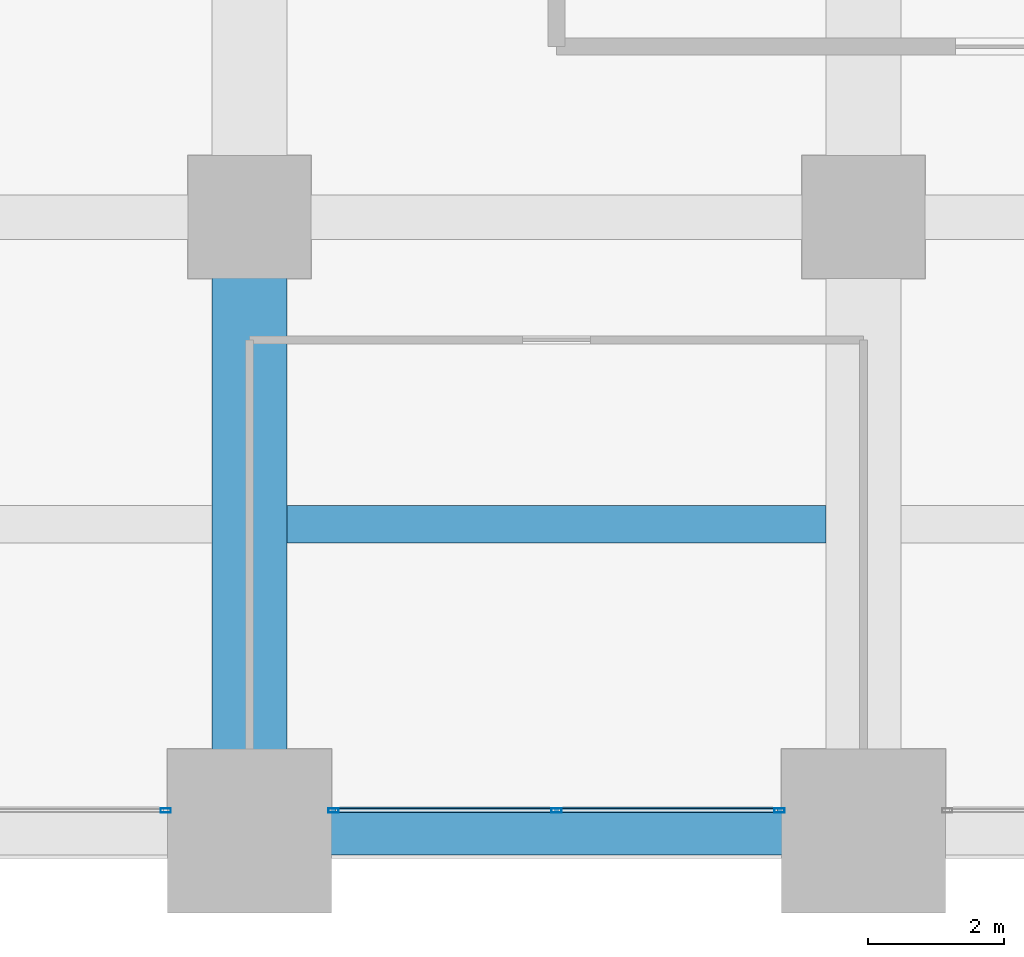
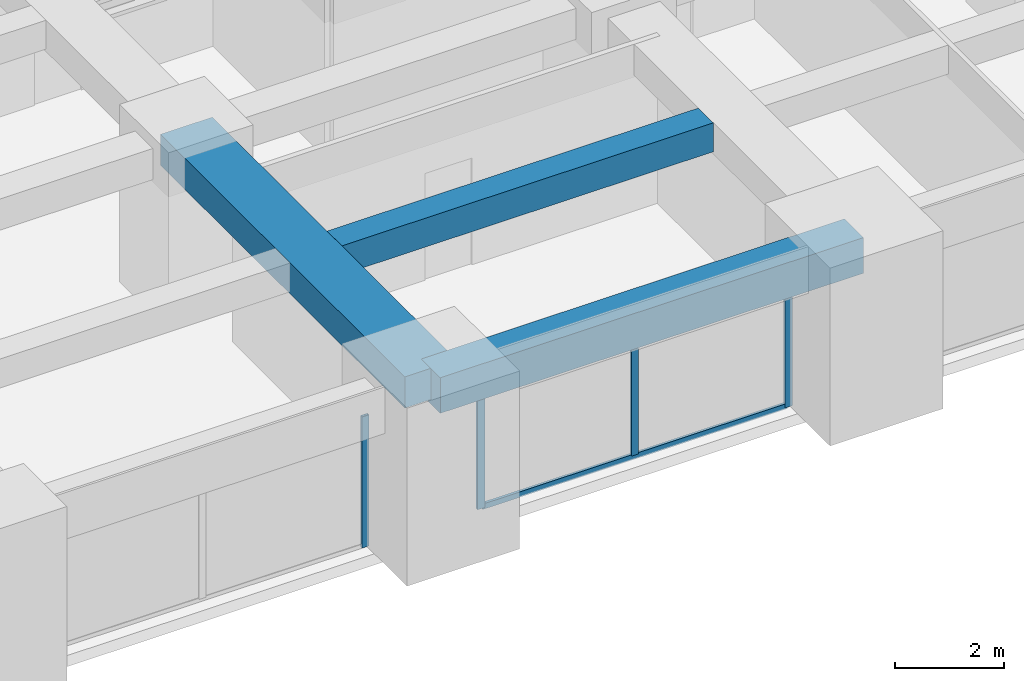
# One storey, part 6 of 39: 5 members, 3 beams, 2 elements without a shape of their own.
"""IFC4 building model written with IfcOpenShell, lengths in metres."""

from ifc_helpers import new_model, si_unit, direction, frame, origin, origin_2d, place, context, subcontext, project, spatial, rectangle, hollow_rectangle, extrude, material, material_profile, profile_set, type_object, element, aggregate, save


model = new_model("IFC4")

# Units and contexts
model_context = context("Model", 3, precision=1e-05, world=origin(), true_north=direction((0.0, 1.0)))
body_context = subcontext(model_context, "Body", "Model", "MODEL_VIEW")
ifc_project = project(units=[si_unit("LENGTHUNIT", "METRE"), si_unit("AREAUNIT", "SQUARE_METRE"), si_unit("VOLUMEUNIT", "CUBIC_METRE"), si_unit("PLANEANGLEUNIT", "RADIAN"), si_unit("MASSUNIT", "GRAM", prefix="KILO")], contexts=[model_context])

# Site, building, storey
site_placement = place(None, origin())
site = spatial("IfcSite", under=ifc_project, at=site_placement, CompositionType="ELEMENT")
building_placement = place(site_placement, origin())
building = spatial("IfcBuilding", under=site, at=building_placement, Name="Zorevar Civic Tower", CompositionType="ELEMENT")
storey_placement = place(building_placement, frame((0.0, 0.0, 125.0)))
storey = spatial("IfcBuildingStorey", under=building, at=storey_placement, Name="L30", CompositionType="ELEMENT", Elevation=125.0)

# Beams
ifc_material_1 = material(Name="Concrete C50/60", Category="concrete")
ifc_material_profile_1 = material_profile(ifc_material_1, rectangle(XDim=1.10009765625, YDim=0.699951171875, at=origin_2d()), Name="RC 1100x700")
ifc_profile_set_1 = profile_set([ifc_material_profile_1], Name="Concrete C50/60")
beam_type_1 = type_object("IfcBeamType", Name="Beam RC 1100x700", PredefinedType="BEAM", material=ifc_profile_set_1)
beam_1_placement = place(storey_placement, frame((18.0, 0.0, 3.39990234375), z_axis=(0.0, 1.0, 0.0), x_axis=(-1.0, 0.0, 0.0)))
element("IfcBeam", 1, at=beam_1_placement, inside=storey, type_object=beam_type_1, Name="Girder L31", PredefinedType="BEAM", context=body_context, shape_type="SweptSolid", body=[
    extrude(rectangle(XDim=1.10009765625, YDim=0.699951171875, at=origin_2d()), origin(), (0.0, 0.0, 1.0), 9.0),
])
ifc_material_2 = material(Name="Concrete C50/60", Category="concrete")
ifc_material_profile_2 = material_profile(ifc_material_2, rectangle(XDim=0.550048828125, YDim=0.64990234375, at=origin_2d()), Name="RC 550x650")
ifc_profile_set_2 = profile_set([ifc_material_profile_2], Name="Concrete C50/60")
beam_type_2 = type_object("IfcBeamType", Name="Beam RC 550x650", PredefinedType="BEAM", material=ifc_profile_set_2)
beam_2_placement = place(storey_placement, frame((18.550048828125, 4.5, 3.425048828125), z_axis=(1.0, 0.0, 0.0), x_axis=(0.0, 1.0, 0.0)))
element("IfcBeam", 2, at=beam_2_placement, inside=storey, type_object=beam_type_2, Name="Secondary beam L31", PredefinedType="BEAM", context=body_context, shape_type="SweptSolid", body=[
    extrude(rectangle(XDim=0.550048828125, YDim=0.64990234375, at=origin_2d()), origin(), (0.0, 0.0, 1.0), 7.89990234375),
])

# Curtain wall, member
ifc_material_3 = material(Name="Dark grey solar-control glass in black aluminium frame", Category="aluminium")
curtain_wall_type = type_object("IfcCurtainWallType", Name="Curtain wall CW3 mid zone", PredefinedType="NOTDEFINED", material=ifc_material_3)
curtain_wall_1_placement = place(storey_placement, origin())
curtain_wall_1 = element("IfcCurtainWall", 3, at=curtain_wall_1_placement, inside=storey, type_object=curtain_wall_type, Name="CW3 L30", PredefinedType="NOTDEFINED")
ifc_material_4 = material(Name="Aluminium, black anodised", Category="aluminium")
ifc_material_profile_3 = material_profile(ifc_material_4, hollow_rectangle(XDim=0.06005859375, YDim=0.14990234375, WallThickness=0.00390625, at=origin_2d()), Name="AL 150x60x4")
ifc_profile_set_3 = profile_set([ifc_material_profile_3], Name="Aluminium, black anodised")
member_type_1 = type_object("IfcMemberType", Name="CW3 mullion AL 150x60x4", PredefinedType="MULLION", material=ifc_profile_set_3)
member_1_placement = place(storey_placement, frame((16.77001953125, 0.300048828125, 0.0), z_axis=(0.0, 0.0, 1.0), x_axis=(0.0, 1.0, 0.0)))
member_1 = element("IfcMember", 4, at=member_1_placement, type_object=member_type_1, Name="CW3 mullion 3", PredefinedType="MULLION", context=body_context, shape_type="SweptSolid", body=[
    extrude(hollow_rectangle(XDim=0.06005859375, YDim=0.14990234375, WallThickness=0.00390625, at=origin_2d()), origin(), (0.0, 0.0, 1.0), 2.949951171875),
])
aggregate(curtain_wall_1, [member_1])

# Curtain wall, members
curtain_wall_2_placement = place(storey_placement, origin())
curtain_wall_2 = element("IfcCurtainWall", 5, at=curtain_wall_2_placement, inside=storey, type_object=curtain_wall_type, Name="CW3 L30", PredefinedType="NOTDEFINED")
member_2_placement = place(storey_placement, frame((19.22998046875, 0.300048828125, 0.0), z_axis=(0.0, 0.0, 1.0), x_axis=(0.0, 1.0, 0.0)))
member_2 = element("IfcMember", 6, at=member_2_placement, type_object=member_type_1, Name="CW3 mullion 1", PredefinedType="MULLION", context=body_context, shape_type="SweptSolid", body=[
    extrude(hollow_rectangle(XDim=0.06005859375, YDim=0.14990234375, WallThickness=0.00390625, at=origin_2d()), origin(), (0.0, 0.0, 1.0), 2.949951171875),
])
member_3_placement = place(storey_placement, frame((22.5, 0.300048828125, 0.06005859375), z_axis=(0.0, 0.0, 1.0), x_axis=(0.0, 1.0, 0.0)))
member_3 = element("IfcMember", 7, at=member_3_placement, type_object=member_type_1, Name="CW3 mullion 2", PredefinedType="MULLION", context=body_context, shape_type="SweptSolid", body=[
    extrude(hollow_rectangle(XDim=0.06005859375, YDim=0.14990234375, WallThickness=0.00390625, at=origin_2d()), origin(), (0.0, 0.0, 1.0), 2.889892578125),
])
member_4_placement = place(storey_placement, frame((25.77001953125, 0.300048828125, 0.0), z_axis=(0.0, 0.0, 1.0), x_axis=(0.0, 1.0, 0.0)))
member_4 = element("IfcMember", 8, at=member_4_placement, type_object=member_type_1, Name="CW3 mullion 3", PredefinedType="MULLION", context=body_context, shape_type="SweptSolid", body=[
    extrude(hollow_rectangle(XDim=0.06005859375, YDim=0.14990234375, WallThickness=0.00390625, at=origin_2d()), origin(), (0.0, 0.0, 1.0), 2.949951171875),
])
ifc_material_5 = material(Name="Aluminium, black anodised", Category="aluminium")
ifc_material_profile_4 = material_profile(ifc_material_5, hollow_rectangle(XDim=0.06005859375, YDim=0.1201171875, WallThickness=0.0029296875, at=origin_2d()), Name="AL 120x60x3")
ifc_profile_set_4 = profile_set([ifc_material_profile_4], Name="Aluminium, black anodised")
member_type_2 = type_object("IfcMemberType", Name="CW3 transom AL 120x60x3", PredefinedType="USERDEFINED", material=ifc_profile_set_4)
member_5_placement = place(storey_placement, frame((19.260009765625, 0.300048828125, 0.030029296875), z_axis=(1.0, 0.0, 0.0), x_axis=(0.0, 1.0, 0.0)))
member_5 = element("IfcMember", 9, at=member_5_placement, type_object=member_type_2, Name="CW3 sill transom", ObjectType="TRANSOM", PredefinedType="USERDEFINED", context=body_context, shape_type="SweptSolid", body=[
    extrude(hollow_rectangle(XDim=0.06005859375, YDim=0.1201171875, WallThickness=0.0029296875, at=origin_2d()), origin(), (0.0, 0.0, 1.0), 6.47998046875),
])
aggregate(curtain_wall_2, [member_2, member_3, member_4, member_5])

# Beam
ifc_material_6 = material(Name="Concrete C50/60", Category="concrete")
ifc_material_profile_5 = material_profile(ifc_material_6, rectangle(XDim=0.699951171875, YDim=0.800048828125, at=origin_2d()), Name="RC 700x800")
ifc_profile_set_5 = profile_set([ifc_material_profile_5], Name="Concrete C50/60")
beam_type_3 = type_object("IfcBeamType", Name="Edge beam RC 700x800", PredefinedType="SPANDREL", material=ifc_profile_set_5)
beam_3_placement = place(storey_placement, frame((18.0, 0.0, 3.35009765625), z_axis=(1.0, 0.0, 0.0), x_axis=(0.0, 1.0, 0.0)))
element("IfcBeam", 10, at=beam_3_placement, inside=storey, type_object=beam_type_3, Name="Edge beam L31", PredefinedType="SPANDREL", context=body_context, shape_type="SweptSolid", body=[
    extrude(rectangle(XDim=0.699951171875, YDim=0.800048828125, at=origin_2d()), origin(), (0.0, 0.0, 1.0), 9.0),
])

save(model, "model.ifc")
